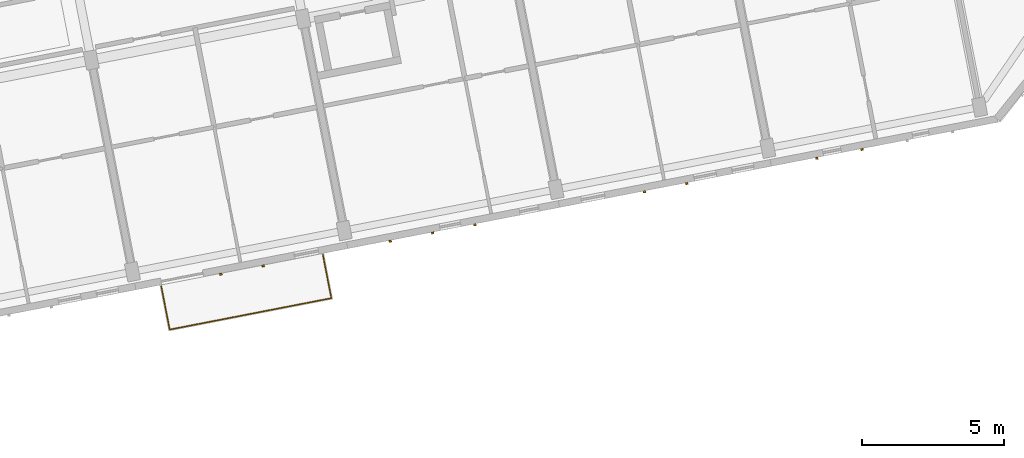
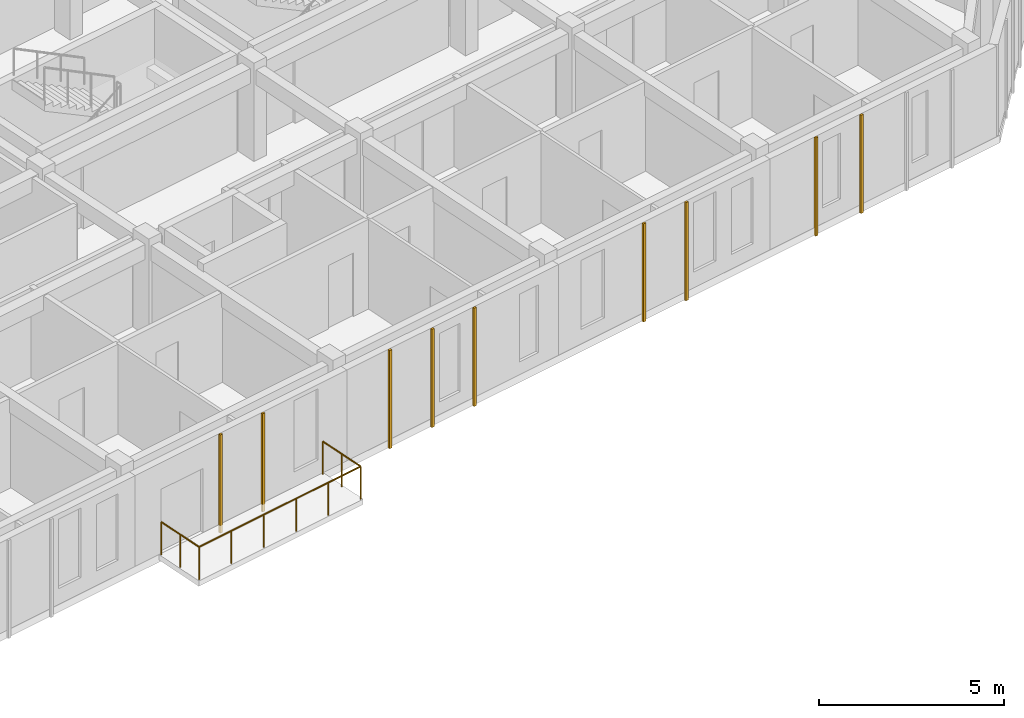
# One storey, part 58 of 65: 9 coverings, 1 railing.
"""IFC4 building model written with IfcOpenShell, lengths in metres."""

from ifc_helpers import new_model, si_unit, direction, frame, origin, origin_2d, place, context, subcontext, project, spatial, rectangle, circle, extrude, material, layer, layer_set, type_object, element, save


model = new_model("IFC4")

# Units and contexts
model_context = context("Model", 3, precision=1e-05, world=origin(), true_north=direction((0.0, 1.0)))
body_context = subcontext(model_context, "Body", "Model", "MODEL_VIEW")
ifc_project = project(units=[si_unit("LENGTHUNIT", "METRE"), si_unit("AREAUNIT", "SQUARE_METRE"), si_unit("VOLUMEUNIT", "CUBIC_METRE"), si_unit("PLANEANGLEUNIT", "RADIAN"), si_unit("MASSUNIT", "GRAM", prefix="KILO")], contexts=[model_context])

# Site, building, storey
site_placement = place(None, origin())
site = spatial("IfcSite", under=ifc_project, at=site_placement, CompositionType="ELEMENT")
building_placement = place(site_placement, origin())
building = spatial("IfcBuilding", under=site, at=building_placement, Name="Kestramere Prow Commons", CompositionType="ELEMENT")
storey_placement = place(building_placement, frame((0.0, 0.0, 21.39990234375)))
storey = spatial("IfcBuildingStorey", under=building, at=storey_placement, Name="L06", CompositionType="ELEMENT", Elevation=21.39990234375)

# Coverings
ifc_material_1 = material(Name="Weathered Zinc-Titanium Standing-Seam Cladding")
ifc_layer = layer(ifc_material_1, 0.074951171875)
ifc_layer_set = layer_set([ifc_layer], Name="Weathered Zinc-Titanium Standing-Seam Cladding")
covering_type = type_object("IfcCoveringType", Name="COV-CLAD-SEAM", PredefinedType="CLADDING", material=ifc_layer_set)
for number, where, z_axis, x_axis, name in (
    (1, (137.92626953125, 37.105224609375, -0.25), (0.0, 0.0, 1.0), (-0.981627183448, -0.190808995377, 0.0), "EW-D-L06-S-2 Standing-Seam Rib 2"),
    (2, (136.43408203125, 36.815185546875, -0.25), (0.0, 0.0, 1.0), (-0.981627183448, -0.190808995377, 0.0), "EW-D-L06-S-2 Standing-Seam Rib 3"),
    (3, (145.386474609375, 38.555419921875, -0.25), (0.0, 0.0, 1.0), (-0.981627183448, -0.190808995377, 0.0), "EW-D-L06-S-3 Standing-Seam Rib 2"),
    (4, (143.89453125, 38.265380859375, -0.25), (0.0, 0.0, 1.0), (-0.981627183448, -0.190808995377, 0.0), "EW-D-L06-S-3 Standing-Seam Rib 3"),
    (5, (142.40234375, 37.975341796875, -0.25), (0.0, 0.0, 1.0), (-0.981627183448, -0.190808995377, 0.0), "EW-D-L06-S-3 Standing-Seam Rib 4"),
    (6, (152.846923828125, 40.005615234375, -0.25), (0.0, 0.0, 1.0), (-0.981627183448, -0.190808995377, 0.0), "EW-D-L06-S-4 Standing-Seam Rib 2"),
    (7, (151.35498046875, 39.715576171875, -0.25), (0.0, 0.0, 1.0), (-0.981627183448, -0.190808995377, 0.0), "EW-D-L06-S-4 Standing-Seam Rib 3"),
    (8, (159.021484375, 41.205810546875, -0.25), (0.0, 0.0, 1.0), (-0.981627183448, -0.190808995377, 0.0), "EW-D-L06-S-5 Standing-Seam Rib 3"),
    (9, (157.42626953125, 40.895751953125, -0.25), (0.0, 0.0, 1.0), (-0.981627183448, -0.190808995377, 0.0), "EW-D-L06-S-5 Standing-Seam Rib 4"),
):
    element("IfcCovering", number, at=place(storey_placement, frame(where, z_axis=z_axis, x_axis=x_axis)), inside=storey, type_object=covering_type, Name=name, PredefinedType="CLADDING", context=body_context, shape_type="SweptSolid", body=[
        extrude(rectangle(XDim=0.0849609375, YDim=0.06494140625, at=origin_2d()), origin(), (0.0, 0.0, 1.0), 3.25),
    ])

# Railing
ifc_material_2 = material(Name="Powder-Coated Aluminium 6063-T6", Category="aluminium")
railing_type = type_object("IfcRailingType", Name="GRD-BALC-1100", PredefinedType="BALUSTRADE", material=ifc_material_2)
railing_placement = place(storey_placement, frame((134.3359375, 36.394775390625, 0.0)))
element("IfcRailing", 10, at=railing_placement, inside=storey, type_object=railing_type, Name="Block D L06 Balcony Guardrail 3", PredefinedType="BALUSTRADE", context=body_context, shape_type="SweptSolid", body=[
    extrude(circle(Radius=0.02392578125, at=origin_2d()), frame((0.0, 0.0, 1.076171875), z_axis=(0.190756568988, -0.981637372652, 0.0), x_axis=(0.981637372652, 0.190756568988, 0.0)), (0.0, 0.0, 1.0), 1.56005859375),
    extrude(circle(Radius=0.02392578125, at=origin_2d()), frame((0.297607421875, -1.531494140625, 1.076171875), z_axis=(0.981626779841, 0.190811071742, 0.0), x_axis=(-0.190811071742, 0.981626779841, 0.0)), (0.0, 0.0, 1.0), 5.7998046875),
    extrude(circle(Radius=0.02392578125, at=origin_2d()), frame((5.990966796875, -0.4248046875, 1.076171875), z_axis=(-0.190756568988, 0.981637372652, 0.0), x_axis=(-0.981637372652, -0.190756568988, 0.0)), (0.0, 0.0, 1.0), 1.56005859375),
    extrude(circle(Radius=0.02099609375, at=origin_2d()), origin(), (0.0, 0.0, 1.0), 1.052001953125),
    extrude(circle(Radius=0.02099609375, at=origin_2d()), frame((0.14892578125, -0.765625, 0.0)), (0.0, 0.0, 1.0), 1.052001953125),
    extrude(circle(Radius=0.02099609375, at=origin_2d()), frame((0.297607421875, -1.531494140625, 0.0)), (0.0, 0.0, 1.0), 1.052001953125),
    extrude(circle(Radius=0.02099609375, at=origin_2d()), frame((1.436279296875, -1.31005859375, 0.0)), (0.0, 0.0, 1.0), 1.052001953125),
    extrude(circle(Radius=0.02099609375, at=origin_2d()), frame((2.574951171875, -1.0888671875, 0.0)), (0.0, 0.0, 1.0), 1.052001953125),
    extrude(circle(Radius=0.02099609375, at=origin_2d()), frame((3.713623046875, -0.867431640625, 0.0)), (0.0, 0.0, 1.0), 1.052001953125),
    extrude(circle(Radius=0.02099609375, at=origin_2d()), frame((4.852294921875, -0.646240234375, 0.0)), (0.0, 0.0, 1.0), 1.052001953125),
    extrude(circle(Radius=0.02099609375, at=origin_2d()), frame((5.990966796875, -0.4248046875, 0.0)), (0.0, 0.0, 1.0), 1.052001953125),
    extrude(circle(Radius=0.02099609375, at=origin_2d()), frame((5.84228515625, 0.3408203125, 0.0)), (0.0, 0.0, 1.0), 1.052001953125),
    extrude(circle(Radius=0.02099609375, at=origin_2d()), frame((5.693359375, 1.106689453125, 0.0)), (0.0, 0.0, 1.0), 1.052001953125),
])

save(model, "model.ifc")
